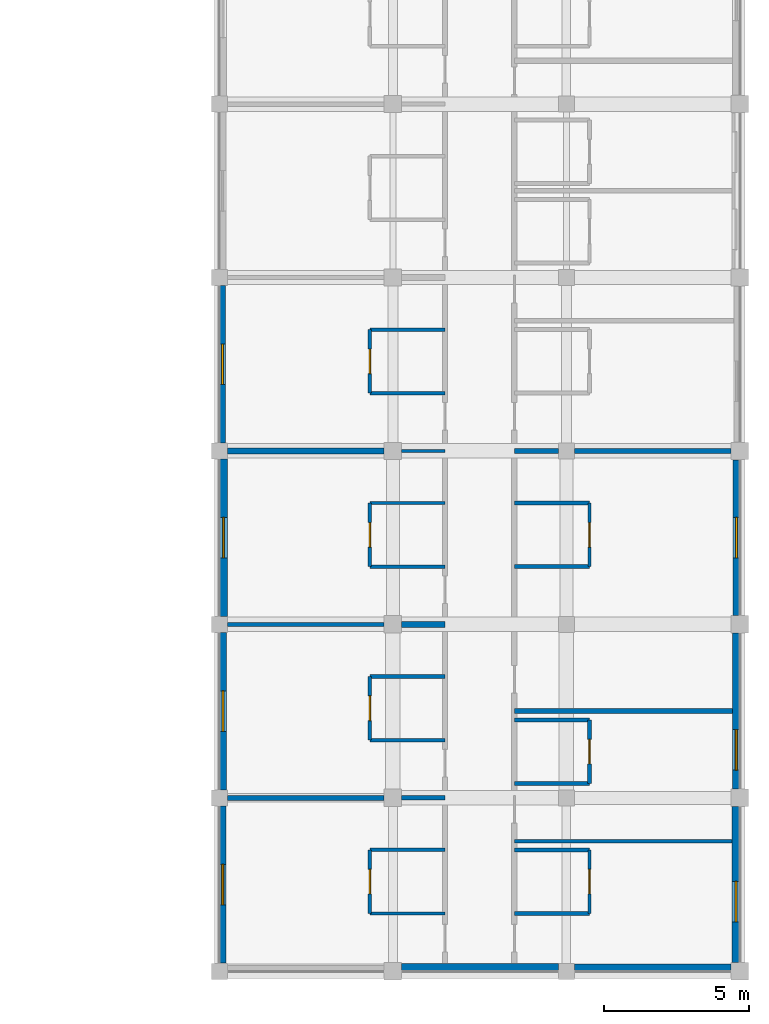
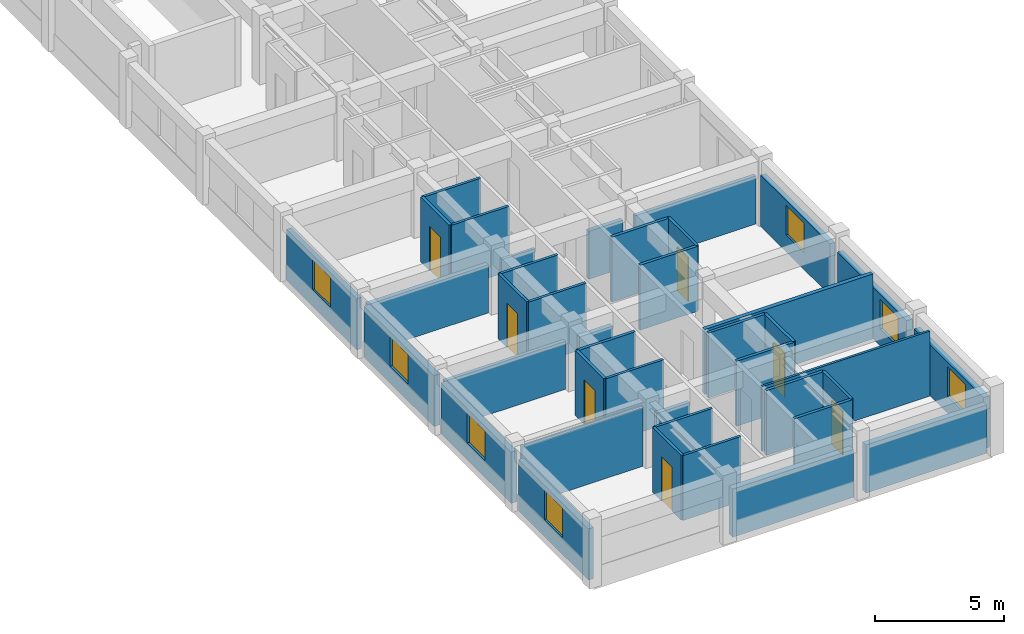
# One storey, part 4 of 22: 40 walls, 7 doors, 7 windows, 14 openings.
"""IFC4 building model written with IfcOpenShell, lengths in metres."""

from ifc_helpers import new_model, si_unit, direction, frame, frame_2d, origin, place, context, subcontext, project, spatial, rectangle, extrude, material, layer, layer_set, type_object, element, fill, save


model = new_model("IFC4")

# Units and contexts
model_context = context("Model", 3, precision=1e-05, world=origin(), true_north=direction((0.0, 1.0)))
body_context = subcontext(model_context, "Body", "Model", "MODEL_VIEW")
ifc_project = project(units=[si_unit("LENGTHUNIT", "METRE"), si_unit("AREAUNIT", "SQUARE_METRE"), si_unit("VOLUMEUNIT", "CUBIC_METRE"), si_unit("PLANEANGLEUNIT", "RADIAN"), si_unit("MASSUNIT", "GRAM", prefix="KILO"), si_unit("THERMODYNAMICTEMPERATUREUNIT", "KELVIN"), si_unit("POWERUNIT", "WATT")], contexts=[model_context])

# Site, building, storey
site_placement = place(None, origin())
site = spatial("IfcSite", under=ifc_project, at=site_placement, CompositionType="ELEMENT")
building_placement = place(site_placement, origin())
building = spatial("IfcBuilding", under=site, at=building_placement, Name="Phaisarnlok Congress Hotel", CompositionType="ELEMENT")
storey_placement = place(building_placement, frame((0.0, 0.0, 28.199951171875)))
storey = spatial("IfcBuildingStorey", under=building, at=storey_placement, Name="L06", CompositionType="ELEMENT", Elevation=28.199951171875)

# Wall, opening, window
ifc_material_1 = material(Name="Concrete C40/50", Category="concrete")
ifc_layer_1 = layer(ifc_material_1, 0.2099609375, Name="Concrete C40/50")
ifc_layer_set_1 = layer_set([ifc_layer_1], Name="Concrete C40/50")
wall_type_1 = type_object("IfcWallType", Name="WL-EXT-210", PredefinedType="SOLIDWALL", material=ifc_layer_set_1)
wall_1_placement = place(storey_placement, frame((162.10498046875, 65.719970703125, 0.0), z_axis=(0.0, 0.0, 1.0), x_axis=(0.0, -1.0, 0.0)))
wall_1 = element("IfcWall", 1, at=wall_1_placement, inside=storey, type_object=wall_type_1, Name="Exterior wall EW-07 (L06)", PredefinedType="SOLIDWALL", context=body_context, shape_type="SweptSolid", body=[
    extrude(rectangle(XDim=5.43994140625, YDim=0.2099609375, at=frame_2d((2.719970703125, 0.0))), origin(), (0.0, 0.0, 1.0), 2.429931640625),
])
opening_1_placement = place(wall_1_placement, frame((2.02001953125, 0.0, 0.800048828125)))
opening_1 = element("IfcOpeningElement", 2, at=opening_1_placement, cuts=wall_1, Name="Opening W-13", PredefinedType="OPENING", context=body_context, shape_type="SweptSolid", body=[
    extrude(rectangle(XDim=1.39990234375, YDim=1.39990234375, at=frame_2d((0.699951171875, 0.699951171875))), frame((0.0, 0.114990234375, 0.0), z_axis=(0.0, -1.0, 0.0), x_axis=(1.0, 0.0, 0.0)), (0.0, 0.0, 1.0), 0.22998046875),
])
ifc_material_2 = material(Name="Thermally Broken Aluminium & Low-E Double Glazing", Category="aluminium")
window_type = type_object("IfcWindowType", Name="WIN-POD-1400", PartitioningType="SINGLE_PANEL", PredefinedType="WINDOW", material=ifc_material_2)
window_1_placement = place(opening_1_placement, origin())
window_1 = element("IfcWindow", 3, at=window_1_placement, inside=storey, type_object=window_type, Name="Guestroom window W-13 (L06)", OverallHeight=1.39990234375, OverallWidth=1.39990234375, PartitioningType="SINGLE_PANEL", PredefinedType="WINDOW", context=body_context, shape_type="SweptSolid", body=[
    extrude(rectangle(XDim=1.39990234375, YDim=1.39990234375, at=frame_2d((0.699951171875, 0.699951171875))), frame((0.0, 0.030029296875, 0.0), z_axis=(0.0, -1.0, 0.0), x_axis=(1.0, 0.0, 0.0)), (0.0, 0.0, 1.0), 0.06005859375),
])
fill(opening_1, window_1)

ifc_layer_2 = layer(ifc_material_1, 0.22998046875, Name="Concrete C40/50")
ifc_layer_set_2 = layer_set([ifc_layer_2], Name="Concrete C40/50")
wall_type_2 = type_object("IfcWallType", Name="WL-EXT-230", PredefinedType="SOLIDWALL", material=ifc_layer_set_2)
wall_2_placement = place(storey_placement, frame((179.885009765625, 54.304931640625, 0.0), z_axis=(0.0, 0.0, 1.0), x_axis=(0.0, 1.0, 0.0)))
wall_2 = element("IfcWall", 4, at=wall_2_placement, inside=storey, type_object=wall_type_2, Name="Exterior wall EW-06 (L06)", PredefinedType="SOLIDWALL", context=body_context, shape_type="SweptSolid", body=[
    extrude(rectangle(XDim=5.39013671875, YDim=0.22998046875, at=frame_2d((2.695068359375, 0.0))), origin(), (0.0, 0.0, 1.0), 2.429931640625),
])
opening_2_placement = place(wall_2_placement, frame((1.9951171875, 0.0, 0.800048828125)))
opening_2 = element("IfcOpeningElement", 5, at=opening_2_placement, cuts=wall_2, Name="Opening W-13", PredefinedType="OPENING", context=body_context, shape_type="SweptSolid", body=[
    extrude(rectangle(XDim=1.39990234375, YDim=1.39990234375, at=frame_2d((0.699951171875, 0.699951171875))), frame((0.0, 0.125, 0.0), z_axis=(0.0, -1.0, 0.0), x_axis=(1.0, 0.0, 0.0)), (0.0, 0.0, 1.0), 0.25),
])
window_2_placement = place(opening_2_placement, origin())
window_2 = element("IfcWindow", 6, at=window_2_placement, inside=storey, type_object=window_type, Name="Guestroom window W-13 (L06)", OverallHeight=1.39990234375, OverallWidth=1.39990234375, PartitioningType="SINGLE_PANEL", PredefinedType="WINDOW", context=body_context, shape_type="SweptSolid", body=[
    extrude(rectangle(XDim=1.39990234375, YDim=1.39990234375, at=frame_2d((0.699951171875, 0.699951171875))), frame((0.0, 0.030029296875, 0.0), z_axis=(0.0, -1.0, 0.0), x_axis=(1.0, 0.0, 0.0)), (0.0, 0.0, 1.0), 0.06005859375),
])
fill(opening_2, window_2)

wall_3_placement = place(storey_placement, frame((162.114990234375, 47.719970703125, 0.0), z_axis=(0.0, 0.0, 1.0), x_axis=(0.0, -1.0, 0.0)))
wall_3 = element("IfcWall", 7, at=wall_3_placement, inside=storey, type_object=wall_type_2, Name="Exterior wall EW-06 (L06)", PredefinedType="SOLIDWALL", context=body_context, shape_type="SweptSolid", body=[
    extrude(rectangle(XDim=5.43994140625, YDim=0.22998046875, at=frame_2d((2.719970703125, 0.0))), origin(), (0.0, 0.0, 1.0), 2.429931640625),
])
opening_3_placement = place(wall_3_placement, frame((2.02001953125, 0.0, 0.800048828125)))
opening_3 = element("IfcOpeningElement", 8, at=opening_3_placement, cuts=wall_3, Name="Opening W-13", PredefinedType="OPENING", context=body_context, shape_type="SweptSolid", body=[
    extrude(rectangle(XDim=1.39990234375, YDim=1.39990234375, at=frame_2d((0.699951171875, 0.699951171875))), frame((0.0, 0.125, 0.0), z_axis=(0.0, -1.0, 0.0), x_axis=(1.0, 0.0, 0.0)), (0.0, 0.0, 1.0), 0.25),
])
window_3_placement = place(opening_3_placement, origin())
window_3 = element("IfcWindow", 9, at=window_3_placement, inside=storey, type_object=window_type, Name="Guestroom window W-13 (L06)", OverallHeight=1.39990234375, OverallWidth=1.39990234375, PartitioningType="SINGLE_PANEL", PredefinedType="WINDOW", context=body_context, shape_type="SweptSolid", body=[
    extrude(rectangle(XDim=1.39990234375, YDim=1.39990234375, at=frame_2d((0.699951171875, 0.699951171875))), frame((0.0, 0.030029296875, 0.0), z_axis=(0.0, -1.0, 0.0), x_axis=(1.0, 0.0, 0.0)), (0.0, 0.0, 1.0), 0.06005859375),
])
fill(opening_3, window_3)

ifc_layer_3 = layer(ifc_material_1, 0.25, Name="Concrete C40/50")
ifc_layer_set_3 = layer_set([ifc_layer_3], Name="Concrete C40/50")
wall_type_3 = type_object("IfcWallType", Name="WL-EXT-250", PredefinedType="SOLIDWALL", material=ifc_layer_set_3)
wall_4_placement = place(storey_placement, frame((179.875, 48.304931640625, 0.0), z_axis=(0.0, 0.0, 1.0), x_axis=(0.0, 1.0, 0.0)))
wall_4 = element("IfcWall", 10, at=wall_4_placement, inside=storey, type_object=wall_type_3, Name="Exterior wall EW-05 (L06)", PredefinedType="SOLIDWALL", context=body_context, shape_type="SweptSolid", body=[
    extrude(rectangle(XDim=5.39013671875, YDim=0.25, at=frame_2d((2.695068359375, 0.0))), origin(), (0.0, 0.0, 1.0), 2.429931640625),
])
opening_4_placement = place(wall_4_placement, frame((0.656982421875, 0.0, 0.800048828125)))
opening_4 = element("IfcOpeningElement", 11, at=opening_4_placement, cuts=wall_4, Name="Opening W-13", PredefinedType="OPENING", context=body_context, shape_type="SweptSolid", body=[
    extrude(rectangle(XDim=1.39990234375, YDim=1.39990234375, at=frame_2d((0.699951171875, 0.699951171875))), frame((0.0, 0.135009765625, 0.0), z_axis=(0.0, -1.0, 0.0), x_axis=(1.0, 0.0, 0.0)), (0.0, 0.0, 1.0), 0.27001953125),
])
window_4_placement = place(opening_4_placement, origin())
window_4 = element("IfcWindow", 12, at=window_4_placement, inside=storey, type_object=window_type, Name="Guestroom window W-13 (L06)", OverallHeight=1.39990234375, OverallWidth=1.39990234375, PartitioningType="SINGLE_PANEL", PredefinedType="WINDOW", context=body_context, shape_type="SweptSolid", body=[
    extrude(rectangle(XDim=1.39990234375, YDim=1.39990234375, at=frame_2d((0.699951171875, 0.699951171875))), frame((0.0, 0.030029296875, 0.0), z_axis=(0.0, -1.0, 0.0), x_axis=(1.0, 0.0, 0.0)), (0.0, 0.0, 1.0), 0.06005859375),
])
fill(opening_4, window_4)

wall_5_placement = place(storey_placement, frame((162.125, 53.719970703125, 0.0), z_axis=(0.0, 0.0, 1.0), x_axis=(0.0, -1.0, 0.0)))
wall_5 = element("IfcWall", 13, at=wall_5_placement, inside=storey, type_object=wall_type_3, Name="Exterior wall EW-05 (L06)", PredefinedType="SOLIDWALL", context=body_context, shape_type="SweptSolid", body=[
    extrude(rectangle(XDim=5.43994140625, YDim=0.25, at=frame_2d((2.719970703125, 0.0))), origin(), (0.0, 0.0, 1.0), 2.429931640625),
])
opening_5_placement = place(wall_5_placement, frame((2.02001953125, 0.0, 0.800048828125)))
opening_5 = element("IfcOpeningElement", 14, at=opening_5_placement, cuts=wall_5, Name="Opening W-13", PredefinedType="OPENING", context=body_context, shape_type="SweptSolid", body=[
    extrude(rectangle(XDim=1.39990234375, YDim=1.39990234375, at=frame_2d((0.699951171875, 0.699951171875))), frame((0.0, 0.135009765625, 0.0), z_axis=(0.0, -1.0, 0.0), x_axis=(1.0, 0.0, 0.0)), (0.0, 0.0, 1.0), 0.27001953125),
])
window_5_placement = place(opening_5_placement, origin())
window_5 = element("IfcWindow", 15, at=window_5_placement, inside=storey, type_object=window_type, Name="Guestroom window W-13 (L06)", OverallHeight=1.39990234375, OverallWidth=1.39990234375, PartitioningType="SINGLE_PANEL", PredefinedType="WINDOW", context=body_context, shape_type="SweptSolid", body=[
    extrude(rectangle(XDim=1.39990234375, YDim=1.39990234375, at=frame_2d((0.699951171875, 0.699951171875))), frame((0.0, 0.030029296875, 0.0), z_axis=(0.0, -1.0, 0.0), x_axis=(1.0, 0.0, 0.0)), (0.0, 0.0, 1.0), 0.06005859375),
])
fill(opening_5, window_5)

# Wall
wall_6_placement = place(storey_placement, frame((174.280029296875, 42.125, 0.0), z_axis=(0.0, 0.0, 1.0), x_axis=(1.0, 0.0, 0.0)))
element("IfcWall", 16, at=wall_6_placement, inside=storey, type_object=wall_type_3, Name="Exterior wall EW-05 (L06)", PredefinedType="SOLIDWALL", context=body_context, shape_type="SweptSolid", body=[
    extrude(rectangle(XDim=5.4150390625, YDim=0.25, at=frame_2d((2.70751953125, 0.0))), origin(), (0.0, 0.0, 1.0), 2.280029296875),
])

# Wall, opening, window
ifc_layer_4 = layer(ifc_material_1, 0.27001953125, Name="Concrete C40/50")
ifc_layer_set_4 = layer_set([ifc_layer_4], Name="Concrete C40/50")
wall_type_4 = type_object("IfcWallType", Name="WL-EXT-270", PredefinedType="SOLIDWALL", material=ifc_layer_set_4)
wall_7_placement = place(storey_placement, frame((179.864990234375, 42.304931640625, 0.0), z_axis=(0.0, 0.0, 1.0), x_axis=(0.0, 1.0, 0.0)))
wall_7 = element("IfcWall", 17, at=wall_7_placement, inside=storey, type_object=wall_type_4, Name="Exterior wall EW-04 (L06)", PredefinedType="SOLIDWALL", context=body_context, shape_type="SweptSolid", body=[
    extrude(rectangle(XDim=5.39013671875, YDim=0.27001953125, at=frame_2d((2.695068359375, 0.0))), origin(), (0.0, 0.0, 1.0), 2.429931640625),
])
opening_6_placement = place(wall_7_placement, frame((1.406982421875, 0.0, 0.800048828125)))
opening_6 = element("IfcOpeningElement", 18, at=opening_6_placement, cuts=wall_7, Name="Opening W-13", PredefinedType="OPENING", context=body_context, shape_type="SweptSolid", body=[
    extrude(rectangle(XDim=1.39990234375, YDim=1.39990234375, at=frame_2d((0.699951171875, 0.699951171875))), frame((0.0, 0.14501953125, 0.0), z_axis=(0.0, -1.0, 0.0), x_axis=(1.0, 0.0, 0.0)), (0.0, 0.0, 1.0), 0.2900390625),
])
window_6_placement = place(opening_6_placement, origin())
window_6 = element("IfcWindow", 19, at=window_6_placement, inside=storey, type_object=window_type, Name="Guestroom window W-13 (L06)", OverallHeight=1.39990234375, OverallWidth=1.39990234375, PartitioningType="SINGLE_PANEL", PredefinedType="WINDOW", context=body_context, shape_type="SweptSolid", body=[
    extrude(rectangle(XDim=1.39990234375, YDim=1.39990234375, at=frame_2d((0.699951171875, 0.699951171875))), frame((0.0, 0.030029296875, 0.0), z_axis=(0.0, -1.0, 0.0), x_axis=(1.0, 0.0, 0.0)), (0.0, 0.0, 1.0), 0.06005859375),
])
fill(opening_6, window_6)

wall_8_placement = place(storey_placement, frame((162.135009765625, 59.719970703125, 0.0), z_axis=(0.0, 0.0, 1.0), x_axis=(0.0, -1.0, 0.0)))
wall_8 = element("IfcWall", 20, at=wall_8_placement, inside=storey, type_object=wall_type_4, Name="Exterior wall EW-04 (L06)", PredefinedType="SOLIDWALL", context=body_context, shape_type="SweptSolid", body=[
    extrude(rectangle(XDim=5.43994140625, YDim=0.27001953125, at=frame_2d((2.719970703125, 0.0))), origin(), (0.0, 0.0, 1.0), 2.429931640625),
])
opening_7_placement = place(wall_8_placement, frame((2.02001953125, 0.0, 0.800048828125)))
opening_7 = element("IfcOpeningElement", 21, at=opening_7_placement, cuts=wall_8, Name="Opening W-13", PredefinedType="OPENING", context=body_context, shape_type="SweptSolid", body=[
    extrude(rectangle(XDim=1.39990234375, YDim=1.39990234375, at=frame_2d((0.699951171875, 0.699951171875))), frame((0.0, 0.14501953125, 0.0), z_axis=(0.0, -1.0, 0.0), x_axis=(1.0, 0.0, 0.0)), (0.0, 0.0, 1.0), 0.2900390625),
])
window_7_placement = place(opening_7_placement, origin())
window_7 = element("IfcWindow", 22, at=window_7_placement, inside=storey, type_object=window_type, Name="Guestroom window W-13 (L06)", OverallHeight=1.39990234375, OverallWidth=1.39990234375, PartitioningType="SINGLE_PANEL", PredefinedType="WINDOW", context=body_context, shape_type="SweptSolid", body=[
    extrude(rectangle(XDim=1.39990234375, YDim=1.39990234375, at=frame_2d((0.699951171875, 0.699951171875))), frame((0.0, 0.030029296875, 0.0), z_axis=(0.0, -1.0, 0.0), x_axis=(1.0, 0.0, 0.0)), (0.0, 0.0, 1.0), 0.06005859375),
])
fill(opening_7, window_7)

# Walls
wall_9_placement = place(storey_placement, frame((168.304931640625, 42.135009765625, 0.0), z_axis=(0.0, 0.0, 1.0), x_axis=(1.0, 0.0, 0.0)))
element("IfcWall", 23, at=wall_9_placement, inside=storey, type_object=wall_type_4, Name="Exterior wall EW-04 (L06)", PredefinedType="SOLIDWALL", context=body_context, shape_type="SweptSolid", body=[
    extrude(rectangle(XDim=5.4150390625, YDim=0.27001953125, at=frame_2d((2.70751953125, 0.0))), origin(), (0.0, 0.0, 1.0), 2.280029296875),
])
ifc_material_3 = material(Name="Service Riser Shaftwall Partition", Category="gypsum")
ifc_layer_5 = layer(ifc_material_3, 0.10498046875, Name="Service Riser Shaftwall Partition")
ifc_layer_set_5 = layer_set([ifc_layer_5], Name="Service Riser Shaftwall Partition")
wall_type_5 = type_object("IfcWallType", Name="WL-INT-105", PredefinedType="PARTITIONING", material=ifc_layer_set_5)
wall_10_placement = place(storey_placement, frame((172.199951171875, 46.5, 0.0), z_axis=(0.0, 0.0, 1.0), x_axis=(1.0, 0.0, 0.0)))
element("IfcWall", 24, at=wall_10_placement, inside=storey, type_object=wall_type_5, Name="Interior partition wall IW-08 (L06)", PredefinedType="PARTITIONING", context=body_context, shape_type="SweptSolid", body=[
    extrude(rectangle(XDim=7.525146484375, YDim=0.10498046875, at=frame_2d((3.7626953125, 0.0))), origin(), (0.0, 0.0, 1.0), 3.080078125),
])
wall_11_placement = place(storey_placement, frame((168.304931640625, 60.0, 0.0), z_axis=(0.0, 0.0, 1.0), x_axis=(1.0, 0.0, 0.0)))
element("IfcWall", 25, at=wall_11_placement, inside=storey, type_object=wall_type_5, Name="Interior partition wall IW-08 (L06)", PredefinedType="PARTITIONING", context=body_context, shape_type="SweptSolid", body=[
    extrude(rectangle(XDim=1.4951171875, YDim=0.10498046875, at=frame_2d((0.74755859375, 0.0))), origin(), (0.0, 0.0, 1.0), 2.280029296875),
])

# Wall, opening, door
ifc_material_4 = material(Name="Lightweight Metal-Stud Gypsum Partition", Category="gypsum")
ifc_layer_6 = layer(ifc_material_4, 0.1201171875, Name="Lightweight Metal-Stud Gypsum Partition")
ifc_layer_set_6 = layer_set([ifc_layer_6], Name="Lightweight Metal-Stud Gypsum Partition")
wall_type_6 = type_object("IfcWallType", Name="WL-INT-120", PredefinedType="PARTITIONING", material=ifc_layer_set_6)
wall_12_placement = place(storey_placement, frame((167.199951171875, 44.0, 0.0), z_axis=(0.0, 0.0, 1.0), x_axis=(0.0, 1.0, 0.0)))
wall_12 = element("IfcWall", 26, at=wall_12_placement, inside=storey, type_object=wall_type_6, Name="Interior partition wall IW-07 (L06)", PredefinedType="PARTITIONING", context=body_context, shape_type="SweptSolid", body=[
    extrude(rectangle(XDim=2.199951171875, YDim=0.1201171875, at=frame_2d((1.10009765625, 0.0))), origin(), (0.0, 0.0, 1.0), 3.080078125),
])
opening_8_placement = place(wall_12_placement, frame((0.675048828125, 0.0, 0.0)))
opening_8 = element("IfcOpeningElement", 27, at=opening_8_placement, cuts=wall_12, Name="Opening D-0300", PredefinedType="OPENING", context=body_context, shape_type="SweptSolid", body=[
    extrude(rectangle(XDim=0.85009765625, YDim=2.10009765625, at=frame_2d((0.425048828125, 1.050048828125))), frame((0.0, 0.070068359375, 0.0), z_axis=(0.0, -1.0, 0.0), x_axis=(1.0, 0.0, 0.0)), (0.0, 0.0, 1.0), 0.14013671875),
])
ifc_material_5 = material(Name="Moisture-Resistant Lacquered Timber", Category="wood")
door_type = type_object("IfcDoorType", Name="DR-BATH-850", OperationType="NOTDEFINED", PredefinedType="DOOR", material=ifc_material_5)
door_1_placement = place(opening_8_placement, origin())
door_1 = element("IfcDoor", 28, at=door_1_placement, inside=storey, type_object=door_type, Name="Interior door D-0300 (L06)", OperationType="SINGLE_SWING_LEFT", OverallHeight=2.10009765625, OverallWidth=0.85009765625, PredefinedType="DOOR", context=body_context, shape_type="SweptSolid", body=[
    extrude(rectangle(XDim=0.85009765625, YDim=2.10009765625, at=frame_2d((0.425048828125, 1.050048828125))), frame((0.0, 0.02490234375, 0.0), z_axis=(0.0, -1.0, 0.0), x_axis=(1.0, 0.0, 0.0)), (0.0, 0.0, 1.0), 0.050048828125),
])
fill(opening_8, door_1)

wall_13_placement = place(storey_placement, frame((167.199951171875, 56.0, 0.0), z_axis=(0.0, 0.0, 1.0), x_axis=(0.0, 1.0, 0.0)))
wall_13 = element("IfcWall", 29, at=wall_13_placement, inside=storey, type_object=wall_type_6, Name="Interior partition wall IW-07 (L06)", PredefinedType="PARTITIONING", context=body_context, shape_type="SweptSolid", body=[
    extrude(rectangle(XDim=2.199951171875, YDim=0.1201171875, at=frame_2d((1.10009765625, 0.0))), origin(), (0.0, 0.0, 1.0), 3.080078125),
])
opening_9_placement = place(wall_13_placement, frame((0.675048828125, 0.0, 0.0)))
opening_9 = element("IfcOpeningElement", 30, at=opening_9_placement, cuts=wall_13, Name="Opening D-0304", PredefinedType="OPENING", context=body_context, shape_type="SweptSolid", body=[
    extrude(rectangle(XDim=0.85009765625, YDim=2.10009765625, at=frame_2d((0.425048828125, 1.050048828125))), frame((0.0, 0.070068359375, 0.0), z_axis=(0.0, -1.0, 0.0), x_axis=(1.0, 0.0, 0.0)), (0.0, 0.0, 1.0), 0.14013671875),
])
door_2_placement = place(opening_9_placement, origin())
door_2 = element("IfcDoor", 31, at=door_2_placement, inside=storey, type_object=door_type, Name="Interior door D-0304 (L06)", OperationType="SINGLE_SWING_LEFT", OverallHeight=2.10009765625, OverallWidth=0.85009765625, PredefinedType="DOOR", context=body_context, shape_type="SweptSolid", body=[
    extrude(rectangle(XDim=0.85009765625, YDim=2.10009765625, at=frame_2d((0.425048828125, 1.050048828125))), frame((0.0, 0.02490234375, 0.0), z_axis=(0.0, -1.0, 0.0), x_axis=(1.0, 0.0, 0.0)), (0.0, 0.0, 1.0), 0.050048828125),
])
fill(opening_9, door_2)

wall_14_placement = place(storey_placement, frame((174.800048828125, 44.0, 0.0), z_axis=(0.0, 0.0, 1.0), x_axis=(0.0, 1.0, 0.0)))
wall_14 = element("IfcWall", 32, at=wall_14_placement, inside=storey, type_object=wall_type_6, Name="Interior partition wall IW-07 (L06)", PredefinedType="PARTITIONING", context=body_context, shape_type="SweptSolid", body=[
    extrude(rectangle(XDim=2.199951171875, YDim=0.1201171875, at=frame_2d((1.10009765625, 0.0))), origin(), (0.0, 0.0, 1.0), 3.080078125),
])
opening_10_placement = place(wall_14_placement, frame((0.675048828125, 0.0, 0.0)))
opening_10 = element("IfcOpeningElement", 33, at=opening_10_placement, cuts=wall_14, Name="Opening D-0275", PredefinedType="OPENING", context=body_context, shape_type="SweptSolid", body=[
    extrude(rectangle(XDim=0.85009765625, YDim=2.10009765625, at=frame_2d((0.425048828125, 1.050048828125))), frame((0.0, 0.070068359375, 0.0), z_axis=(0.0, -1.0, 0.0), x_axis=(1.0, 0.0, 0.0)), (0.0, 0.0, 1.0), 0.14013671875),
])
door_3_placement = place(opening_10_placement, origin())
door_3 = element("IfcDoor", 34, at=door_3_placement, inside=storey, type_object=door_type, Name="Interior door D-0275 (L06)", OperationType="SINGLE_SWING_RIGHT", OverallHeight=2.10009765625, OverallWidth=0.85009765625, PredefinedType="DOOR", context=body_context, shape_type="SweptSolid", body=[
    extrude(rectangle(XDim=0.85009765625, YDim=2.10009765625, at=frame_2d((0.425048828125, 1.050048828125))), frame((0.0, 0.02490234375, 0.0), z_axis=(0.0, -1.0, 0.0), x_axis=(1.0, 0.0, 0.0)), (0.0, 0.0, 1.0), 0.050048828125),
])
fill(opening_10, door_3)

wall_15_placement = place(storey_placement, frame((174.800048828125, 56.0, 0.0), z_axis=(0.0, 0.0, 1.0), x_axis=(0.0, 1.0, 0.0)))
wall_15 = element("IfcWall", 35, at=wall_15_placement, inside=storey, type_object=wall_type_6, Name="Interior partition wall IW-07 (L06)", PredefinedType="PARTITIONING", context=body_context, shape_type="SweptSolid", body=[
    extrude(rectangle(XDim=2.199951171875, YDim=0.1201171875, at=frame_2d((1.10009765625, 0.0))), origin(), (0.0, 0.0, 1.0), 3.080078125),
])
opening_11_placement = place(wall_15_placement, frame((0.675048828125, 0.0, 0.0)))
opening_11 = element("IfcOpeningElement", 36, at=opening_11_placement, cuts=wall_15, Name="Opening D-0279", PredefinedType="OPENING", context=body_context, shape_type="SweptSolid", body=[
    extrude(rectangle(XDim=0.85009765625, YDim=2.10009765625, at=frame_2d((0.425048828125, 1.050048828125))), frame((0.0, 0.070068359375, 0.0), z_axis=(0.0, -1.0, 0.0), x_axis=(1.0, 0.0, 0.0)), (0.0, 0.0, 1.0), 0.14013671875),
])
door_4_placement = place(opening_11_placement, origin())
door_4 = element("IfcDoor", 37, at=door_4_placement, inside=storey, type_object=door_type, Name="Interior door D-0279 (L06)", OperationType="SINGLE_SWING_RIGHT", OverallHeight=2.10009765625, OverallWidth=0.85009765625, PredefinedType="DOOR", context=body_context, shape_type="SweptSolid", body=[
    extrude(rectangle(XDim=0.85009765625, YDim=2.10009765625, at=frame_2d((0.425048828125, 1.050048828125))), frame((0.0, 0.02490234375, 0.0), z_axis=(0.0, -1.0, 0.0), x_axis=(1.0, 0.0, 0.0)), (0.0, 0.0, 1.0), 0.050048828125),
])
fill(opening_11, door_4)

# Walls
for number, where, z_axis, x_axis, name in (
    (38, (167.199951171875, 44.0, 0.0), (0.0, 0.0, 1.0), (1.0, 0.0, 0.0), "Interior partition wall IW-07 (L06)"),
    (39, (167.199951171875, 46.199951171875, 0.0), (0.0, 0.0, 1.0), (1.0, 0.0, 0.0), "Interior partition wall IW-07 (L06)"),
    (40, (167.199951171875, 50.0, 0.0), (0.0, 0.0, 1.0), (1.0, 0.0, 0.0), "Interior partition wall IW-07 (L06)"),
    (41, (167.199951171875, 56.0, 0.0), (0.0, 0.0, 1.0), (1.0, 0.0, 0.0), "Interior partition wall IW-07 (L06)"),
    (42, (167.199951171875, 58.199951171875, 0.0), (0.0, 0.0, 1.0), (1.0, 0.0, 0.0), "Interior partition wall IW-07 (L06)"),
    (43, (167.199951171875, 62.0, 0.0), (0.0, 0.0, 1.0), (1.0, 0.0, 0.0), "Interior partition wall IW-07 (L06)"),
    (44, (167.199951171875, 64.199951171875, 0.0), (0.0, 0.0, 1.0), (1.0, 0.0, 0.0), "Interior partition wall IW-07 (L06)"),
):
    element("IfcWall", number, at=place(storey_placement, frame(where, z_axis=z_axis, x_axis=x_axis)), inside=storey, type_object=wall_type_6, Name=name, PredefinedType="PARTITIONING", context=body_context, shape_type="SweptSolid", body=[
        extrude(rectangle(XDim=2.60009765625, YDim=0.1201171875, at=frame_2d((1.300048828125, 0.0))), origin(), (0.0, 0.0, 1.0), 3.080078125),
    ])

# Wall, opening, door
ifc_material_6 = material(Name="Moisture-Resistant Gypsum Partition", Category="gypsum")
ifc_layer_7 = layer(ifc_material_6, 0.135009765625, Name="Moisture-Resistant Gypsum Partition")
ifc_layer_set_7 = layer_set([ifc_layer_7], Name="Moisture-Resistant Gypsum Partition")
wall_type_7 = type_object("IfcWallType", Name="WL-INT-135", PredefinedType="PARTITIONING", material=ifc_layer_set_7)
wall_16_placement = place(storey_placement, frame((167.199951171875, 50.0, 0.0), z_axis=(0.0, 0.0, 1.0), x_axis=(0.0, 1.0, 0.0)))
wall_16 = element("IfcWall", 45, at=wall_16_placement, inside=storey, type_object=wall_type_7, Name="Interior partition wall IW-06 (L06)", PredefinedType="PARTITIONING", context=body_context, shape_type="SweptSolid", body=[
    extrude(rectangle(XDim=2.199951171875, YDim=0.135009765625, at=frame_2d((1.10009765625, 0.0))), origin(), (0.0, 0.0, 1.0), 3.080078125),
])
opening_12_placement = place(wall_16_placement, frame((0.675048828125, 0.0, 0.0)))
opening_12 = element("IfcOpeningElement", 46, at=opening_12_placement, cuts=wall_16, Name="Opening D-0302", PredefinedType="OPENING", context=body_context, shape_type="SweptSolid", body=[
    extrude(rectangle(XDim=0.85009765625, YDim=2.10009765625, at=frame_2d((0.425048828125, 1.050048828125))), frame((0.0, 0.07763671875, 0.0), z_axis=(0.0, -1.0, 0.0), x_axis=(1.0, 0.0, 0.0)), (0.0, 0.0, 1.0), 0.155029296875),
])
door_5_placement = place(opening_12_placement, origin())
door_5 = element("IfcDoor", 47, at=door_5_placement, inside=storey, type_object=door_type, Name="Interior door D-0302 (L06)", OperationType="SINGLE_SWING_LEFT", OverallHeight=2.10009765625, OverallWidth=0.85009765625, PredefinedType="DOOR", context=body_context, shape_type="SweptSolid", body=[
    extrude(rectangle(XDim=0.85009765625, YDim=2.10009765625, at=frame_2d((0.425048828125, 1.050048828125))), frame((0.0, 0.02490234375, 0.0), z_axis=(0.0, -1.0, 0.0), x_axis=(1.0, 0.0, 0.0)), (0.0, 0.0, 1.0), 0.050048828125),
])
fill(opening_12, door_5)

wall_17_placement = place(storey_placement, frame((167.199951171875, 62.0, 0.0), z_axis=(0.0, 0.0, 1.0), x_axis=(0.0, 1.0, 0.0)))
wall_17 = element("IfcWall", 48, at=wall_17_placement, inside=storey, type_object=wall_type_7, Name="Interior partition wall IW-06 (L06)", PredefinedType="PARTITIONING", context=body_context, shape_type="SweptSolid", body=[
    extrude(rectangle(XDim=2.199951171875, YDim=0.135009765625, at=frame_2d((1.10009765625, 0.0))), origin(), (0.0, 0.0, 1.0), 3.080078125),
])
opening_13_placement = place(wall_17_placement, frame((0.675048828125, 0.0, 0.0)))
opening_13 = element("IfcOpeningElement", 49, at=opening_13_placement, cuts=wall_17, Name="Opening D-0306", PredefinedType="OPENING", context=body_context, shape_type="SweptSolid", body=[
    extrude(rectangle(XDim=0.85009765625, YDim=2.10009765625, at=frame_2d((0.425048828125, 1.050048828125))), frame((0.0, 0.07763671875, 0.0), z_axis=(0.0, -1.0, 0.0), x_axis=(1.0, 0.0, 0.0)), (0.0, 0.0, 1.0), 0.155029296875),
])
door_6_placement = place(opening_13_placement, origin())
door_6 = element("IfcDoor", 50, at=door_6_placement, inside=storey, type_object=door_type, Name="Interior door D-0306 (L06)", OperationType="SINGLE_SWING_LEFT", OverallHeight=2.10009765625, OverallWidth=0.85009765625, PredefinedType="DOOR", context=body_context, shape_type="SweptSolid", body=[
    extrude(rectangle(XDim=0.85009765625, YDim=2.10009765625, at=frame_2d((0.425048828125, 1.050048828125))), frame((0.0, 0.02490234375, 0.0), z_axis=(0.0, -1.0, 0.0), x_axis=(1.0, 0.0, 0.0)), (0.0, 0.0, 1.0), 0.050048828125),
])
fill(opening_13, door_6)

wall_18_placement = place(storey_placement, frame((174.800048828125, 48.5, 0.0), z_axis=(0.0, 0.0, 1.0), x_axis=(0.0, 1.0, 0.0)))
wall_18 = element("IfcWall", 51, at=wall_18_placement, inside=storey, type_object=wall_type_7, Name="Interior partition wall IW-06 (L06)", PredefinedType="PARTITIONING", context=body_context, shape_type="SweptSolid", body=[
    extrude(rectangle(XDim=2.199951171875, YDim=0.135009765625, at=frame_2d((1.10009765625, 0.0))), origin(), (0.0, 0.0, 1.0), 3.080078125),
])
opening_14_placement = place(wall_18_placement, frame((0.675048828125, 0.0, 0.0)))
opening_14 = element("IfcOpeningElement", 52, at=opening_14_placement, cuts=wall_18, Name="Opening D-0277", PredefinedType="OPENING", context=body_context, shape_type="SweptSolid", body=[
    extrude(rectangle(XDim=0.85009765625, YDim=2.10009765625, at=frame_2d((0.425048828125, 1.050048828125))), frame((0.0, 0.07763671875, 0.0), z_axis=(0.0, -1.0, 0.0), x_axis=(1.0, 0.0, 0.0)), (0.0, 0.0, 1.0), 0.155029296875),
])
door_7_placement = place(opening_14_placement, origin())
door_7 = element("IfcDoor", 53, at=door_7_placement, inside=storey, type_object=door_type, Name="Interior door D-0277 (L06)", OperationType="SINGLE_SWING_RIGHT", OverallHeight=2.10009765625, OverallWidth=0.85009765625, PredefinedType="DOOR", context=body_context, shape_type="SweptSolid", body=[
    extrude(rectangle(XDim=0.85009765625, YDim=2.10009765625, at=frame_2d((0.425048828125, 1.050048828125))), frame((0.0, 0.02490234375, 0.0), z_axis=(0.0, -1.0, 0.0), x_axis=(1.0, 0.0, 0.0)), (0.0, 0.0, 1.0), 0.050048828125),
])
fill(opening_14, door_7)

# Walls
for number, where, z_axis, x_axis, name in (
    (54, (172.199951171875, 44.0, 0.0), (0.0, 0.0, 1.0), (1.0, 0.0, 0.0), "Interior partition wall IW-06 (L06)"),
    (55, (172.199951171875, 46.199951171875, 0.0), (0.0, 0.0, 1.0), (1.0, 0.0, 0.0), "Interior partition wall IW-06 (L06)"),
    (56, (172.199951171875, 48.5, 0.0), (0.0, 0.0, 1.0), (1.0, 0.0, 0.0), "Interior partition wall IW-06 (L06)"),
    (57, (172.199951171875, 50.699951171875, 0.0), (0.0, 0.0, 1.0), (1.0, 0.0, 0.0), "Interior partition wall IW-06 (L06)"),
    (58, (167.199951171875, 52.199951171875, 0.0), (0.0, 0.0, 1.0), (1.0, 0.0, 0.0), "Interior partition wall IW-06 (L06)"),
    (59, (172.199951171875, 56.0, 0.0), (0.0, 0.0, 1.0), (1.0, 0.0, 0.0), "Interior partition wall IW-06 (L06)"),
    (60, (172.199951171875, 58.199951171875, 0.0), (0.0, 0.0, 1.0), (1.0, 0.0, 0.0), "Interior partition wall IW-06 (L06)"),
):
    element("IfcWall", number, at=place(storey_placement, frame(where, z_axis=z_axis, x_axis=x_axis)), inside=storey, type_object=wall_type_7, Name=name, PredefinedType="PARTITIONING", context=body_context, shape_type="SweptSolid", body=[
        extrude(rectangle(XDim=2.60009765625, YDim=0.135009765625, at=frame_2d((1.300048828125, 0.0))), origin(), (0.0, 0.0, 1.0), 3.080078125),
    ])
ifc_material_7 = material(Name="Acoustic Gypsum Board & Mineral Wool", Category="gypsum")
ifc_layer_8 = layer(ifc_material_7, 0.14990234375, Name="Acoustic Gypsum Board & Mineral Wool")
ifc_layer_set_8 = layer_set([ifc_layer_8], Name="Acoustic Gypsum Board & Mineral Wool")
wall_type_8 = type_object("IfcWallType", Name="WL-INT-150", PredefinedType="PARTITIONING", material=ifc_layer_set_8)
wall_19_placement = place(storey_placement, frame((162.280029296875, 54.0, 0.0), z_axis=(0.0, 0.0, 1.0), x_axis=(1.0, 0.0, 0.0)))
element("IfcWall", 61, at=wall_19_placement, inside=storey, type_object=wall_type_8, Name="Interior partition wall IW-05 (L06)", PredefinedType="PARTITIONING", context=body_context, shape_type="SweptSolid", body=[
    extrude(rectangle(XDim=5.4150390625, YDim=0.14990234375, at=frame_2d((2.70751953125, 0.0))), origin(), (0.0, 0.0, 1.0), 2.280029296875),
])
ifc_material_8 = material(Name="Double-Stud Acoustic Gypsum Partition", Category="gypsum")
ifc_layer_9 = layer(ifc_material_8, 0.159912109375, Name="Double-Stud Acoustic Gypsum Partition")
ifc_layer_set_9 = layer_set([ifc_layer_9], Name="Double-Stud Acoustic Gypsum Partition")
wall_type_9 = type_object("IfcWallType", Name="WL-INT-160", PredefinedType="PARTITIONING", material=ifc_layer_set_9)
wall_20_placement = place(storey_placement, frame((168.304931640625, 48.0, 0.0), z_axis=(0.0, 0.0, 1.0), x_axis=(1.0, 0.0, 0.0)))
element("IfcWall", 62, at=wall_20_placement, inside=storey, type_object=wall_type_9, Name="Interior partition wall IW-04 (L06)", PredefinedType="PARTITIONING", context=body_context, shape_type="SweptSolid", body=[
    extrude(rectangle(XDim=1.4951171875, YDim=0.159912109375, at=frame_2d((0.74755859375, 0.0))), origin(), (0.0, 0.0, 1.0), 2.280029296875),
])
wall_21_placement = place(storey_placement, frame((174.280029296875, 60.0, 0.0), z_axis=(0.0, 0.0, 1.0), x_axis=(1.0, 0.0, 0.0)))
element("IfcWall", 63, at=wall_21_placement, inside=storey, type_object=wall_type_9, Name="Interior partition wall IW-04 (L06)", PredefinedType="PARTITIONING", context=body_context, shape_type="SweptSolid", body=[
    extrude(rectangle(XDim=5.4150390625, YDim=0.159912109375, at=frame_2d((2.70751953125, 0.0))), origin(), (0.0, 0.0, 1.0), 2.280029296875),
])
ifc_material_9 = material(Name="Autoclaved Aerated Concrete Block", Category="concrete")
ifc_layer_10 = layer(ifc_material_9, 0.179931640625, Name="Autoclaved Aerated Concrete Block")
ifc_layer_set_10 = layer_set([ifc_layer_10], Name="Autoclaved Aerated Concrete Block")
wall_type_10 = type_object("IfcWallType", Name="WL-INT-180", PredefinedType="PARTITIONING", material=ifc_layer_set_10)
wall_22_placement = place(storey_placement, frame((162.280029296875, 48.0, 0.0), z_axis=(0.0, 0.0, 1.0), x_axis=(1.0, 0.0, 0.0)))
element("IfcWall", 64, at=wall_22_placement, inside=storey, type_object=wall_type_10, Name="Interior partition wall IW-03 (L06)", PredefinedType="PARTITIONING", context=body_context, shape_type="SweptSolid", body=[
    extrude(rectangle(XDim=5.4150390625, YDim=0.179931640625, at=frame_2d((2.70751953125, 0.0))), origin(), (0.0, 0.0, 1.0), 2.7900390625),
])
wall_23_placement = place(storey_placement, frame((172.199951171875, 51.0, 0.0), z_axis=(0.0, 0.0, 1.0), x_axis=(1.0, 0.0, 0.0)))
element("IfcWall", 65, at=wall_23_placement, inside=storey, type_object=wall_type_10, Name="Interior partition wall IW-03 (L06)", PredefinedType="PARTITIONING", context=body_context, shape_type="SweptSolid", body=[
    extrude(rectangle(XDim=7.545166015625, YDim=0.179931640625, at=frame_2d((3.7724609375, 0.0))), origin(), (0.0, 0.0, 1.0), 3.080078125),
])
wall_24_placement = place(storey_placement, frame((172.199951171875, 60.0, 0.0), z_axis=(0.0, 0.0, 1.0), x_axis=(1.0, 0.0, 0.0)))
element("IfcWall", 66, at=wall_24_placement, inside=storey, type_object=wall_type_10, Name="Interior partition wall IW-03 (L06)", PredefinedType="PARTITIONING", context=body_context, shape_type="SweptSolid", body=[
    extrude(rectangle(XDim=1.52001953125, YDim=0.179931640625, at=frame_2d((0.760009765625, 0.0))), origin(), (0.0, 0.0, 1.0), 2.280029296875),
])
ifc_layer_11 = layer(ifc_material_9, 0.199951171875, Name="Autoclaved Aerated Concrete Block")
ifc_layer_set_11 = layer_set([ifc_layer_11], Name="Autoclaved Aerated Concrete Block")
wall_type_11 = type_object("IfcWallType", Name="WL-INT-200", PredefinedType="PARTITIONING", material=ifc_layer_set_11)
wall_25_placement = place(storey_placement, frame((168.304931640625, 54.0, 0.0), z_axis=(0.0, 0.0, 1.0), x_axis=(1.0, 0.0, 0.0)))
element("IfcWall", 67, at=wall_25_placement, inside=storey, type_object=wall_type_11, Name="Interior partition wall IW-02 (L06)", PredefinedType="PARTITIONING", context=body_context, shape_type="SweptSolid", body=[
    extrude(rectangle(XDim=1.4951171875, YDim=0.199951171875, at=frame_2d((0.74755859375, 0.0))), origin(), (0.0, 0.0, 1.0), 2.280029296875),
])
wall_26_placement = place(storey_placement, frame((162.280029296875, 60.0, 0.0), z_axis=(0.0, 0.0, 1.0), x_axis=(1.0, 0.0, 0.0)))
element("IfcWall", 68, at=wall_26_placement, inside=storey, type_object=wall_type_11, Name="Interior partition wall IW-02 (L06)", PredefinedType="PARTITIONING", context=body_context, shape_type="SweptSolid", body=[
    extrude(rectangle(XDim=5.4150390625, YDim=0.199951171875, at=frame_2d((2.70751953125, 0.0))), origin(), (0.0, 0.0, 1.0), 2.280029296875),
])

save(model, "model.ifc")
